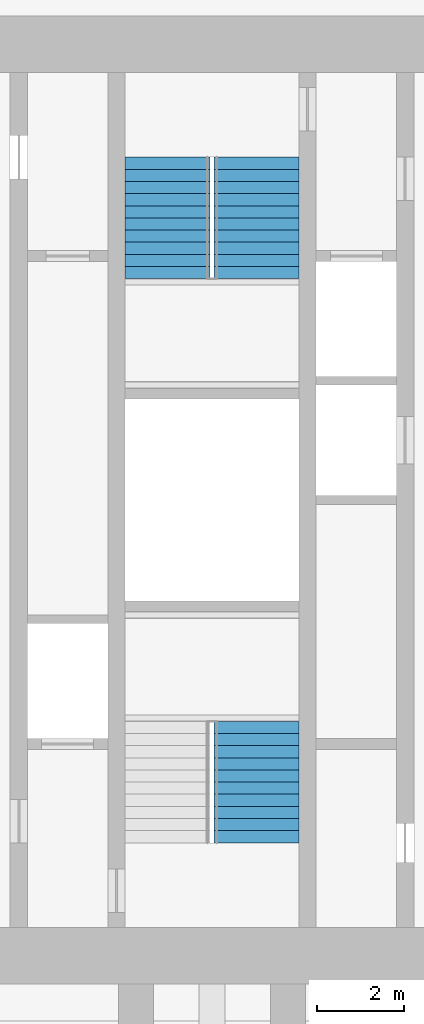
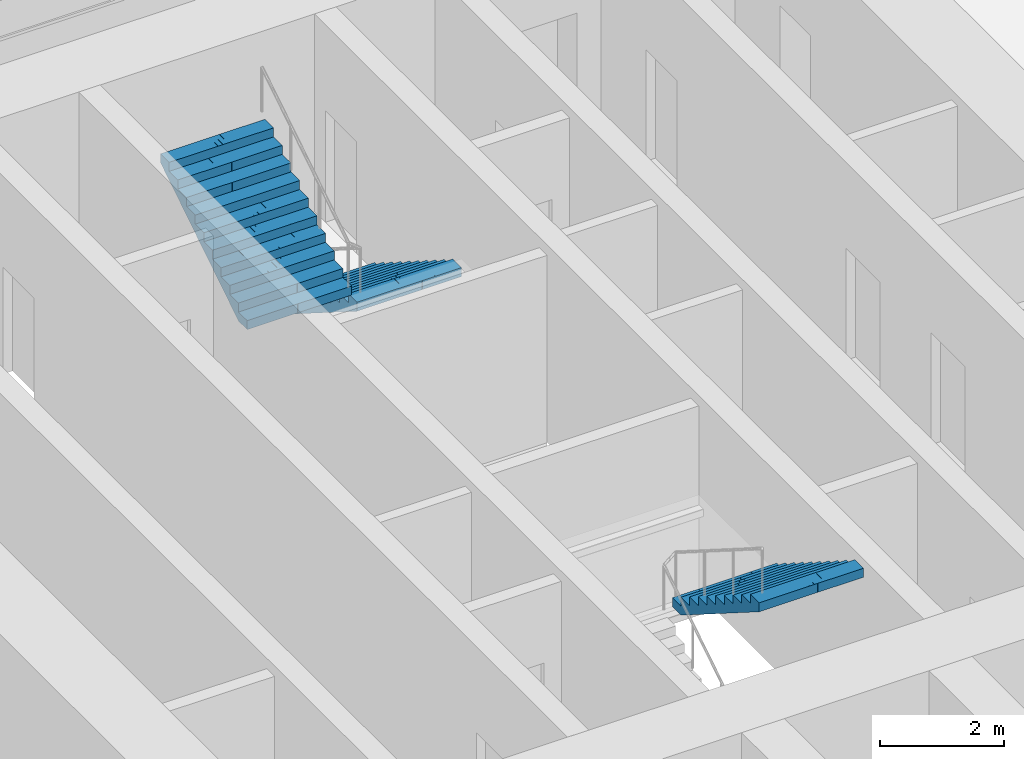
# One storey, part 14 of 15: 3 stair flights, 2 elements without a shape of their own.
"""IFC4 building model written with IfcOpenShell, lengths in metres."""

from ifc_helpers import new_model, si_unit, direction, frame, origin, place, context, subcontext, project, spatial, polyline, outline, extrude, material, type_object, element, aggregate, save


model = new_model("IFC4")

# Units and contexts
model_context = context("Model", 3, precision=1e-05, world=origin(), true_north=direction((0.0, 1.0)))
body_context = subcontext(model_context, "Body", "Model", "MODEL_VIEW")
ifc_project = project(units=[si_unit("LENGTHUNIT", "METRE"), si_unit("AREAUNIT", "SQUARE_METRE"), si_unit("VOLUMEUNIT", "CUBIC_METRE"), si_unit("PLANEANGLEUNIT", "RADIAN"), si_unit("MASSUNIT", "GRAM", prefix="KILO")], contexts=[model_context])

# Site, building, storey
site_placement = place(None, origin())
site = spatial("IfcSite", under=ifc_project, at=site_placement, CompositionType="ELEMENT")
building_placement = place(site_placement, origin())
building = spatial("IfcBuilding", under=site, at=building_placement, Name="Mizan Broadcast Tower", CompositionType="ELEMENT")
storey_placement = place(building_placement, frame((0.0, 0.0, 275.10009765625)))
storey = spatial("IfcBuildingStorey", under=building, at=storey_placement, Name="L65", CompositionType="ELEMENT", Elevation=275.10009765625)

# Stair, stair flight
ifc_material_1 = material(Name="Concrete C40/50", Category="concrete")
stair_type = type_object("IfcStairType", Name="EXIT STAIR", PredefinedType="HALF_TURN_STAIR", material=ifc_material_1)
stair_1_placement = place(storey_placement, origin())
stair_1 = element("IfcStair", 1, at=stair_1_placement, inside=storey, type_object=stair_type, Name="Stair A L65", PredefinedType="HALF_TURN_STAIR")
ifc_material_2 = material(Name="Concrete C40/50", Category="concrete")
stair_flight_type = type_object("IfcStairFlightType", Name="EXIT STAIR FLIGHT", PredefinedType="STRAIGHT", material=ifc_material_2)
stair_flight_1_placement = place(storey_placement, frame((1.02490234375, -5.10009765625, 1.949951171875), z_axis=(0.0, 0.0, 1.0), x_axis=(0.0, -1.0, 0.0)))
stair_flight_1 = element("IfcStairFlight", 2, at=stair_flight_1_placement, type_object=stair_flight_type, Name="A flight 2", NumberOfRisers=11, NumberOfTreads=10, PredefinedType="STRAIGHT", RiserHeight=0.177272727, TreadLength=0.28, context=body_context, shape_type="SweptSolid", body=[
    extrude(outline(polyline([(0.0, 0.0), (0.0, 0.17724609375), (0.280029296875, 0.17724609375), (0.280029296875, 0.3544921875), (0.56005859375, 0.3544921875), (0.56005859375, 0.53173828125), (0.840087890625, 0.53173828125), (0.840087890625, 0.708984375), (1.1201171875, 0.708984375), (1.1201171875, 0.886474609375), (1.39990234375, 0.886474609375), (1.39990234375, 1.063720703125), (1.679931640625, 1.063720703125), (1.679931640625, 1.240966796875), (1.9599609375, 1.240966796875), (1.9599609375, 1.418212890625), (2.239990234375, 1.418212890625), (2.239990234375, 1.595458984375), (2.52001953125, 1.595458984375), (2.52001953125, 1.772705078125), (2.800048828125, 1.772705078125), (2.800048828125, 1.949951171875), (2.800048828125, 1.59521484375), (0.2802734375, 0.0), (0.0, 0.0)])), frame((0.0, 0.97509765625, 0.0), z_axis=(0.0, -1.0, 0.0), x_axis=(1.0, 0.0, 0.0)), (0.0, 0.0, 1.0), 0.4873046875),
    extrude(outline(polyline([(0.0, 0.0), (0.0, 0.17724609375), (0.280029296875, 0.17724609375), (0.280029296875, 0.3544921875), (0.56005859375, 0.3544921875), (0.56005859375, 0.53173828125), (0.840087890625, 0.53173828125), (0.840087890625, 0.708984375), (1.1201171875, 0.708984375), (1.1201171875, 0.886474609375), (1.39990234375, 0.886474609375), (1.39990234375, 1.063720703125), (1.679931640625, 1.063720703125), (1.679931640625, 1.240966796875), (1.9599609375, 1.240966796875), (1.9599609375, 1.418212890625), (2.239990234375, 1.418212890625), (2.239990234375, 1.595458984375), (2.52001953125, 1.595458984375), (2.52001953125, 1.772705078125), (2.800048828125, 1.772705078125), (2.800048828125, 1.949951171875), (2.800048828125, 1.59521484375), (0.2802734375, 0.0), (0.0, 0.0)])), frame((0.0, 0.4873046875, 0.0), z_axis=(0.0, -1.0, 0.0), x_axis=(1.0, 0.0, 0.0)), (0.0, 0.0, 1.0), 0.2431640625),
    extrude(outline(polyline([(0.0, 0.0), (0.0, 0.17724609375), (0.280029296875, 0.17724609375), (0.280029296875, 0.3544921875), (0.56005859375, 0.3544921875), (0.56005859375, 0.53173828125), (0.840087890625, 0.53173828125), (0.840087890625, 0.708984375), (1.1201171875, 0.708984375), (1.1201171875, 0.886474609375), (1.39990234375, 0.886474609375), (1.39990234375, 1.063720703125), (1.679931640625, 1.063720703125), (1.679931640625, 1.240966796875), (1.9599609375, 1.240966796875), (1.9599609375, 1.418212890625), (2.239990234375, 1.418212890625), (2.239990234375, 1.595458984375), (2.52001953125, 1.595458984375), (2.52001953125, 1.772705078125), (2.800048828125, 1.772705078125), (2.800048828125, 1.949951171875), (2.800048828125, 1.59521484375), (0.2802734375, 0.0), (0.0, 0.0)])), frame((0.0, 0.24365234375, 0.0), z_axis=(0.0, -1.0, 0.0), x_axis=(1.0, 0.0, 0.0)), (0.0, 0.0, 1.0), 0.121337890625),
    extrude(outline(polyline([(0.0, 0.0), (0.0, 0.17724609375), (0.280029296875, 0.17724609375), (0.280029296875, 0.3544921875), (0.56005859375, 0.3544921875), (0.56005859375, 0.53173828125), (0.840087890625, 0.53173828125), (0.840087890625, 0.708984375), (1.1201171875, 0.708984375), (1.1201171875, 0.886474609375), (1.39990234375, 0.886474609375), (1.39990234375, 1.063720703125), (1.679931640625, 1.063720703125), (1.679931640625, 1.240966796875), (1.9599609375, 1.240966796875), (1.9599609375, 1.418212890625), (2.239990234375, 1.418212890625), (2.239990234375, 1.595458984375), (2.52001953125, 1.595458984375), (2.52001953125, 1.772705078125), (2.800048828125, 1.772705078125), (2.800048828125, 1.949951171875), (2.800048828125, 1.59521484375), (0.2802734375, 0.0), (0.0, 0.0)])), frame((0.0, 0.121826171875, 0.0), z_axis=(0.0, -1.0, 0.0), x_axis=(1.0, 0.0, 0.0)), (0.0, 0.0, 1.0), 0.060546875),
    extrude(outline(polyline([(0.0, 0.0), (0.0, 0.17724609375), (0.280029296875, 0.17724609375), (0.280029296875, 0.3544921875), (0.56005859375, 0.3544921875), (0.56005859375, 0.53173828125), (0.840087890625, 0.53173828125), (0.840087890625, 0.708984375), (1.1201171875, 0.708984375), (1.1201171875, 0.886474609375), (1.39990234375, 0.886474609375), (1.39990234375, 1.063720703125), (1.679931640625, 1.063720703125), (1.679931640625, 1.240966796875), (1.9599609375, 1.240966796875), (1.9599609375, 1.418212890625), (2.239990234375, 1.418212890625), (2.239990234375, 1.595458984375), (2.52001953125, 1.595458984375), (2.52001953125, 1.772705078125), (2.800048828125, 1.772705078125), (2.800048828125, 1.949951171875), (2.800048828125, 1.59521484375), (0.2802734375, 0.0), (0.0, 0.0)])), frame((0.0, 0.060791015625, 0.0), z_axis=(0.0, -1.0, 0.0), x_axis=(1.0, 0.0, 0.0)), (0.0, 0.0, 1.0), 0.030029296875),
    extrude(outline(polyline([(0.0, 0.0), (0.0, 0.17724609375), (0.280029296875, 0.17724609375), (0.280029296875, 0.3544921875), (0.56005859375, 0.3544921875), (0.56005859375, 0.53173828125), (0.840087890625, 0.53173828125), (0.840087890625, 0.708984375), (1.1201171875, 0.708984375), (1.1201171875, 0.886474609375), (1.39990234375, 0.886474609375), (1.39990234375, 1.063720703125), (1.679931640625, 1.063720703125), (1.679931640625, 1.240966796875), (1.9599609375, 1.240966796875), (1.9599609375, 1.418212890625), (2.239990234375, 1.418212890625), (2.239990234375, 1.595458984375), (2.52001953125, 1.595458984375), (2.52001953125, 1.772705078125), (2.800048828125, 1.772705078125), (2.800048828125, 1.949951171875), (2.800048828125, 1.59521484375), (0.2802734375, 0.0), (0.0, 0.0)])), frame((0.0, 0.0302734375, 0.0), z_axis=(0.0, -1.0, 0.0), x_axis=(1.0, 0.0, 0.0)), (0.0, 0.0, 1.0), 0.060302734375),
    extrude(outline(polyline([(0.0, 0.0), (0.0, 0.17724609375), (0.280029296875, 0.17724609375), (0.280029296875, 0.3544921875), (0.56005859375, 0.3544921875), (0.56005859375, 0.53173828125), (0.840087890625, 0.53173828125), (0.840087890625, 0.708984375), (1.1201171875, 0.708984375), (1.1201171875, 0.886474609375), (1.39990234375, 0.886474609375), (1.39990234375, 1.063720703125), (1.679931640625, 1.063720703125), (1.679931640625, 1.240966796875), (1.9599609375, 1.240966796875), (1.9599609375, 1.418212890625), (2.239990234375, 1.418212890625), (2.239990234375, 1.595458984375), (2.52001953125, 1.595458984375), (2.52001953125, 1.772705078125), (2.800048828125, 1.772705078125), (2.800048828125, 1.949951171875), (2.800048828125, 1.59521484375), (0.2802734375, 0.0), (0.0, 0.0)])), frame((0.0, -0.030517578125, 0.0), z_axis=(0.0, -1.0, 0.0), x_axis=(1.0, 0.0, 0.0)), (0.0, 0.0, 1.0), 0.030029296875),
    extrude(outline(polyline([(0.0, 0.0), (0.0, 0.17724609375), (0.280029296875, 0.17724609375), (0.280029296875, 0.3544921875), (0.56005859375, 0.3544921875), (0.56005859375, 0.53173828125), (0.840087890625, 0.53173828125), (0.840087890625, 0.708984375), (1.1201171875, 0.708984375), (1.1201171875, 0.886474609375), (1.39990234375, 0.886474609375), (1.39990234375, 1.063720703125), (1.679931640625, 1.063720703125), (1.679931640625, 1.240966796875), (1.9599609375, 1.240966796875), (1.9599609375, 1.418212890625), (2.239990234375, 1.418212890625), (2.239990234375, 1.595458984375), (2.52001953125, 1.595458984375), (2.52001953125, 1.772705078125), (2.800048828125, 1.772705078125), (2.800048828125, 1.949951171875), (2.800048828125, 1.59521484375), (0.2802734375, 0.0), (0.0, 0.0)])), frame((0.0, -0.06103515625, 0.0), z_axis=(0.0, -1.0, 0.0), x_axis=(1.0, 0.0, 0.0)), (0.0, 0.0, 1.0), 0.060546875),
    extrude(outline(polyline([(0.0, 0.0), (0.0, 0.17724609375), (0.280029296875, 0.17724609375), (0.280029296875, 0.3544921875), (0.56005859375, 0.3544921875), (0.56005859375, 0.53173828125), (0.840087890625, 0.53173828125), (0.840087890625, 0.708984375), (1.1201171875, 0.708984375), (1.1201171875, 0.886474609375), (1.39990234375, 0.886474609375), (1.39990234375, 1.063720703125), (1.679931640625, 1.063720703125), (1.679931640625, 1.240966796875), (1.9599609375, 1.240966796875), (1.9599609375, 1.418212890625), (2.239990234375, 1.418212890625), (2.239990234375, 1.595458984375), (2.52001953125, 1.595458984375), (2.52001953125, 1.772705078125), (2.800048828125, 1.772705078125), (2.800048828125, 1.949951171875), (2.800048828125, 1.59521484375), (0.2802734375, 0.0), (0.0, 0.0)])), frame((0.0, -0.1220703125, 0.0), z_axis=(0.0, -1.0, 0.0), x_axis=(1.0, 0.0, 0.0)), (0.0, 0.0, 1.0), 0.121337890625),
    extrude(outline(polyline([(0.0, 0.0), (0.0, 0.17724609375), (0.280029296875, 0.17724609375), (0.280029296875, 0.3544921875), (0.56005859375, 0.3544921875), (0.56005859375, 0.53173828125), (0.840087890625, 0.53173828125), (0.840087890625, 0.708984375), (1.1201171875, 0.708984375), (1.1201171875, 0.886474609375), (1.39990234375, 0.886474609375), (1.39990234375, 1.063720703125), (1.679931640625, 1.063720703125), (1.679931640625, 1.240966796875), (1.9599609375, 1.240966796875), (1.9599609375, 1.418212890625), (2.239990234375, 1.418212890625), (2.239990234375, 1.595458984375), (2.52001953125, 1.595458984375), (2.52001953125, 1.772705078125), (2.800048828125, 1.772705078125), (2.800048828125, 1.949951171875), (2.800048828125, 1.59521484375), (0.2802734375, 0.0), (0.0, 0.0)])), frame((0.0, -0.243896484375, 0.0), z_axis=(0.0, -1.0, 0.0), x_axis=(1.0, 0.0, 0.0)), (0.0, 0.0, 1.0), 0.2431640625),
    extrude(outline(polyline([(0.0, 0.0), (0.0, 0.17724609375), (0.280029296875, 0.17724609375), (0.280029296875, 0.3544921875), (0.56005859375, 0.3544921875), (0.56005859375, 0.53173828125), (0.840087890625, 0.53173828125), (0.840087890625, 0.708984375), (1.1201171875, 0.708984375), (1.1201171875, 0.886474609375), (1.39990234375, 0.886474609375), (1.39990234375, 1.063720703125), (1.679931640625, 1.063720703125), (1.679931640625, 1.240966796875), (1.9599609375, 1.240966796875), (1.9599609375, 1.418212890625), (2.239990234375, 1.418212890625), (2.239990234375, 1.595458984375), (2.52001953125, 1.595458984375), (2.52001953125, 1.772705078125), (2.800048828125, 1.772705078125), (2.800048828125, 1.949951171875), (2.800048828125, 1.59521484375), (0.2802734375, 0.0), (0.0, 0.0)])), frame((0.0, -0.487548828125, 0.0), z_axis=(0.0, -1.0, 0.0), x_axis=(1.0, 0.0, 0.0)), (0.0, 0.0, 1.0), 0.4873046875),
])
aggregate(stair_1, [stair_flight_1])

# Stair, stair flights
stair_2_placement = place(storey_placement, origin())
stair_2 = element("IfcStair", 3, at=stair_2_placement, inside=storey, type_object=stair_type, Name="Stair B L65", PredefinedType="HALF_TURN_STAIR")
stair_flight_2_placement = place(storey_placement, frame((1.02490234375, 7.89990234375, 0.0), z_axis=(0.0, 0.0, 1.0), x_axis=(0.0, -1.0, 0.0)))
stair_flight_2 = element("IfcStairFlight", 4, at=stair_flight_2_placement, type_object=stair_flight_type, Name="B flight 1", NumberOfRisers=11, NumberOfTreads=10, PredefinedType="STRAIGHT", RiserHeight=0.177272727, TreadLength=0.28, context=body_context, shape_type="SweptSolid", body=[
    extrude(outline(polyline([(0.0, 0.0), (0.0, 0.17724609375), (0.280029296875, 0.17724609375), (0.280029296875, 0.3544921875), (0.56005859375, 0.3544921875), (0.56005859375, 0.53173828125), (0.840087890625, 0.53173828125), (0.840087890625, 0.708984375), (1.1201171875, 0.708984375), (1.1201171875, 0.886474609375), (1.39990234375, 0.886474609375), (1.39990234375, 1.063720703125), (1.679931640625, 1.063720703125), (1.679931640625, 1.240966796875), (1.9599609375, 1.240966796875), (1.9599609375, 1.418212890625), (2.239990234375, 1.418212890625), (2.239990234375, 1.595458984375), (2.52001953125, 1.595458984375), (2.52001953125, 1.772705078125), (2.800048828125, 1.772705078125), (2.800048828125, 1.949951171875), (2.800048828125, 1.59521484375), (0.2802734375, 0.0), (0.0, 0.0)])), frame((0.0, 0.97509765625, 0.0), z_axis=(0.0, -1.0, 0.0), x_axis=(1.0, 0.0, 0.0)), (0.0, 0.0, 1.0), 0.4873046875),
    extrude(outline(polyline([(0.0, 0.0), (0.0, 0.17724609375), (0.280029296875, 0.17724609375), (0.280029296875, 0.3544921875), (0.56005859375, 0.3544921875), (0.56005859375, 0.53173828125), (0.840087890625, 0.53173828125), (0.840087890625, 0.708984375), (1.1201171875, 0.708984375), (1.1201171875, 0.886474609375), (1.39990234375, 0.886474609375), (1.39990234375, 1.063720703125), (1.679931640625, 1.063720703125), (1.679931640625, 1.240966796875), (1.9599609375, 1.240966796875), (1.9599609375, 1.418212890625), (2.239990234375, 1.418212890625), (2.239990234375, 1.595458984375), (2.52001953125, 1.595458984375), (2.52001953125, 1.772705078125), (2.800048828125, 1.772705078125), (2.800048828125, 1.949951171875), (2.800048828125, 1.59521484375), (0.2802734375, 0.0), (0.0, 0.0)])), frame((0.0, 0.4873046875, 0.0), z_axis=(0.0, -1.0, 0.0), x_axis=(1.0, 0.0, 0.0)), (0.0, 0.0, 1.0), 0.2431640625),
    extrude(outline(polyline([(0.0, 0.0), (0.0, 0.17724609375), (0.280029296875, 0.17724609375), (0.280029296875, 0.3544921875), (0.56005859375, 0.3544921875), (0.56005859375, 0.53173828125), (0.840087890625, 0.53173828125), (0.840087890625, 0.708984375), (1.1201171875, 0.708984375), (1.1201171875, 0.886474609375), (1.39990234375, 0.886474609375), (1.39990234375, 1.063720703125), (1.679931640625, 1.063720703125), (1.679931640625, 1.240966796875), (1.9599609375, 1.240966796875), (1.9599609375, 1.418212890625), (2.239990234375, 1.418212890625), (2.239990234375, 1.595458984375), (2.52001953125, 1.595458984375), (2.52001953125, 1.772705078125), (2.800048828125, 1.772705078125), (2.800048828125, 1.949951171875), (2.800048828125, 1.59521484375), (0.2802734375, 0.0), (0.0, 0.0)])), frame((0.0, 0.24365234375, 0.0), z_axis=(0.0, -1.0, 0.0), x_axis=(1.0, 0.0, 0.0)), (0.0, 0.0, 1.0), 0.121337890625),
    extrude(outline(polyline([(0.0, 0.0), (0.0, 0.17724609375), (0.280029296875, 0.17724609375), (0.280029296875, 0.3544921875), (0.56005859375, 0.3544921875), (0.56005859375, 0.53173828125), (0.840087890625, 0.53173828125), (0.840087890625, 0.708984375), (1.1201171875, 0.708984375), (1.1201171875, 0.886474609375), (1.39990234375, 0.886474609375), (1.39990234375, 1.063720703125), (1.679931640625, 1.063720703125), (1.679931640625, 1.240966796875), (1.9599609375, 1.240966796875), (1.9599609375, 1.418212890625), (2.239990234375, 1.418212890625), (2.239990234375, 1.595458984375), (2.52001953125, 1.595458984375), (2.52001953125, 1.772705078125), (2.800048828125, 1.772705078125), (2.800048828125, 1.949951171875), (2.800048828125, 1.59521484375), (0.2802734375, 0.0), (0.0, 0.0)])), frame((0.0, 0.121826171875, 0.0), z_axis=(0.0, -1.0, 0.0), x_axis=(1.0, 0.0, 0.0)), (0.0, 0.0, 1.0), 0.060546875),
    extrude(outline(polyline([(0.0, 0.0), (0.0, 0.17724609375), (0.280029296875, 0.17724609375), (0.280029296875, 0.3544921875), (0.56005859375, 0.3544921875), (0.56005859375, 0.53173828125), (0.840087890625, 0.53173828125), (0.840087890625, 0.708984375), (1.1201171875, 0.708984375), (1.1201171875, 0.886474609375), (1.39990234375, 0.886474609375), (1.39990234375, 1.063720703125), (1.679931640625, 1.063720703125), (1.679931640625, 1.240966796875), (1.9599609375, 1.240966796875), (1.9599609375, 1.418212890625), (2.239990234375, 1.418212890625), (2.239990234375, 1.595458984375), (2.52001953125, 1.595458984375), (2.52001953125, 1.772705078125), (2.800048828125, 1.772705078125), (2.800048828125, 1.949951171875), (2.800048828125, 1.59521484375), (0.2802734375, 0.0), (0.0, 0.0)])), frame((0.0, 0.060791015625, 0.0), z_axis=(0.0, -1.0, 0.0), x_axis=(1.0, 0.0, 0.0)), (0.0, 0.0, 1.0), 0.030029296875),
    extrude(outline(polyline([(0.0, 0.0), (0.0, 0.17724609375), (0.280029296875, 0.17724609375), (0.280029296875, 0.3544921875), (0.56005859375, 0.3544921875), (0.56005859375, 0.53173828125), (0.840087890625, 0.53173828125), (0.840087890625, 0.708984375), (1.1201171875, 0.708984375), (1.1201171875, 0.886474609375), (1.39990234375, 0.886474609375), (1.39990234375, 1.063720703125), (1.679931640625, 1.063720703125), (1.679931640625, 1.240966796875), (1.9599609375, 1.240966796875), (1.9599609375, 1.418212890625), (2.239990234375, 1.418212890625), (2.239990234375, 1.595458984375), (2.52001953125, 1.595458984375), (2.52001953125, 1.772705078125), (2.800048828125, 1.772705078125), (2.800048828125, 1.949951171875), (2.800048828125, 1.59521484375), (0.2802734375, 0.0), (0.0, 0.0)])), frame((0.0, 0.0302734375, 0.0), z_axis=(0.0, -1.0, 0.0), x_axis=(1.0, 0.0, 0.0)), (0.0, 0.0, 1.0), 0.060302734375),
    extrude(outline(polyline([(0.0, 0.0), (0.0, 0.17724609375), (0.280029296875, 0.17724609375), (0.280029296875, 0.3544921875), (0.56005859375, 0.3544921875), (0.56005859375, 0.53173828125), (0.840087890625, 0.53173828125), (0.840087890625, 0.708984375), (1.1201171875, 0.708984375), (1.1201171875, 0.886474609375), (1.39990234375, 0.886474609375), (1.39990234375, 1.063720703125), (1.679931640625, 1.063720703125), (1.679931640625, 1.240966796875), (1.9599609375, 1.240966796875), (1.9599609375, 1.418212890625), (2.239990234375, 1.418212890625), (2.239990234375, 1.595458984375), (2.52001953125, 1.595458984375), (2.52001953125, 1.772705078125), (2.800048828125, 1.772705078125), (2.800048828125, 1.949951171875), (2.800048828125, 1.59521484375), (0.2802734375, 0.0), (0.0, 0.0)])), frame((0.0, -0.030517578125, 0.0), z_axis=(0.0, -1.0, 0.0), x_axis=(1.0, 0.0, 0.0)), (0.0, 0.0, 1.0), 0.030029296875),
    extrude(outline(polyline([(0.0, 0.0), (0.0, 0.17724609375), (0.280029296875, 0.17724609375), (0.280029296875, 0.3544921875), (0.56005859375, 0.3544921875), (0.56005859375, 0.53173828125), (0.840087890625, 0.53173828125), (0.840087890625, 0.708984375), (1.1201171875, 0.708984375), (1.1201171875, 0.886474609375), (1.39990234375, 0.886474609375), (1.39990234375, 1.063720703125), (1.679931640625, 1.063720703125), (1.679931640625, 1.240966796875), (1.9599609375, 1.240966796875), (1.9599609375, 1.418212890625), (2.239990234375, 1.418212890625), (2.239990234375, 1.595458984375), (2.52001953125, 1.595458984375), (2.52001953125, 1.772705078125), (2.800048828125, 1.772705078125), (2.800048828125, 1.949951171875), (2.800048828125, 1.59521484375), (0.2802734375, 0.0), (0.0, 0.0)])), frame((0.0, -0.06103515625, 0.0), z_axis=(0.0, -1.0, 0.0), x_axis=(1.0, 0.0, 0.0)), (0.0, 0.0, 1.0), 0.060546875),
    extrude(outline(polyline([(0.0, 0.0), (0.0, 0.17724609375), (0.280029296875, 0.17724609375), (0.280029296875, 0.3544921875), (0.56005859375, 0.3544921875), (0.56005859375, 0.53173828125), (0.840087890625, 0.53173828125), (0.840087890625, 0.708984375), (1.1201171875, 0.708984375), (1.1201171875, 0.886474609375), (1.39990234375, 0.886474609375), (1.39990234375, 1.063720703125), (1.679931640625, 1.063720703125), (1.679931640625, 1.240966796875), (1.9599609375, 1.240966796875), (1.9599609375, 1.418212890625), (2.239990234375, 1.418212890625), (2.239990234375, 1.595458984375), (2.52001953125, 1.595458984375), (2.52001953125, 1.772705078125), (2.800048828125, 1.772705078125), (2.800048828125, 1.949951171875), (2.800048828125, 1.59521484375), (0.2802734375, 0.0), (0.0, 0.0)])), frame((0.0, -0.1220703125, 0.0), z_axis=(0.0, -1.0, 0.0), x_axis=(1.0, 0.0, 0.0)), (0.0, 0.0, 1.0), 0.121337890625),
    extrude(outline(polyline([(0.0, 0.0), (0.0, 0.17724609375), (0.280029296875, 0.17724609375), (0.280029296875, 0.3544921875), (0.56005859375, 0.3544921875), (0.56005859375, 0.53173828125), (0.840087890625, 0.53173828125), (0.840087890625, 0.708984375), (1.1201171875, 0.708984375), (1.1201171875, 0.886474609375), (1.39990234375, 0.886474609375), (1.39990234375, 1.063720703125), (1.679931640625, 1.063720703125), (1.679931640625, 1.240966796875), (1.9599609375, 1.240966796875), (1.9599609375, 1.418212890625), (2.239990234375, 1.418212890625), (2.239990234375, 1.595458984375), (2.52001953125, 1.595458984375), (2.52001953125, 1.772705078125), (2.800048828125, 1.772705078125), (2.800048828125, 1.949951171875), (2.800048828125, 1.59521484375), (0.2802734375, 0.0), (0.0, 0.0)])), frame((0.0, -0.243896484375, 0.0), z_axis=(0.0, -1.0, 0.0), x_axis=(1.0, 0.0, 0.0)), (0.0, 0.0, 1.0), 0.2431640625),
    extrude(outline(polyline([(0.0, 0.0), (0.0, 0.17724609375), (0.280029296875, 0.17724609375), (0.280029296875, 0.3544921875), (0.56005859375, 0.3544921875), (0.56005859375, 0.53173828125), (0.840087890625, 0.53173828125), (0.840087890625, 0.708984375), (1.1201171875, 0.708984375), (1.1201171875, 0.886474609375), (1.39990234375, 0.886474609375), (1.39990234375, 1.063720703125), (1.679931640625, 1.063720703125), (1.679931640625, 1.240966796875), (1.9599609375, 1.240966796875), (1.9599609375, 1.418212890625), (2.239990234375, 1.418212890625), (2.239990234375, 1.595458984375), (2.52001953125, 1.595458984375), (2.52001953125, 1.772705078125), (2.800048828125, 1.772705078125), (2.800048828125, 1.949951171875), (2.800048828125, 1.59521484375), (0.2802734375, 0.0), (0.0, 0.0)])), frame((0.0, -0.487548828125, 0.0), z_axis=(0.0, -1.0, 0.0), x_axis=(1.0, 0.0, 0.0)), (0.0, 0.0, 1.0), 0.4873046875),
])
stair_flight_3_placement = place(storey_placement, frame((-1.02490234375, 5.10009765625, 1.949951171875), z_axis=(0.0, 0.0, 1.0), x_axis=(0.0, 1.0, 0.0)))
stair_flight_3 = element("IfcStairFlight", 5, at=stair_flight_3_placement, type_object=stair_flight_type, Name="B flight 2", NumberOfRisers=11, NumberOfTreads=10, PredefinedType="STRAIGHT", RiserHeight=0.177272727, TreadLength=0.28, context=body_context, shape_type="SweptSolid", body=[
    extrude(outline(polyline([(0.0, 0.0), (0.0, 0.17724609375), (0.280029296875, 0.17724609375), (0.280029296875, 0.3544921875), (0.56005859375, 0.3544921875), (0.56005859375, 0.53173828125), (0.840087890625, 0.53173828125), (0.840087890625, 0.708984375), (1.1201171875, 0.708984375), (1.1201171875, 0.886474609375), (1.39990234375, 0.886474609375), (1.39990234375, 1.063720703125), (1.679931640625, 1.063720703125), (1.679931640625, 1.240966796875), (1.9599609375, 1.240966796875), (1.9599609375, 1.418212890625), (2.239990234375, 1.418212890625), (2.239990234375, 1.595458984375), (2.52001953125, 1.595458984375), (2.52001953125, 1.772705078125), (2.800048828125, 1.772705078125), (2.800048828125, 1.949951171875), (2.800048828125, 1.59521484375), (0.2802734375, 0.0), (0.0, 0.0)])), frame((0.0, 0.97509765625, 0.0), z_axis=(0.0, -1.0, 0.0), x_axis=(1.0, 0.0, 0.0)), (0.0, 0.0, 1.0), 0.4873046875),
    extrude(outline(polyline([(0.0, 0.0), (0.0, 0.17724609375), (0.280029296875, 0.17724609375), (0.280029296875, 0.3544921875), (0.56005859375, 0.3544921875), (0.56005859375, 0.53173828125), (0.840087890625, 0.53173828125), (0.840087890625, 0.708984375), (1.1201171875, 0.708984375), (1.1201171875, 0.886474609375), (1.39990234375, 0.886474609375), (1.39990234375, 1.063720703125), (1.679931640625, 1.063720703125), (1.679931640625, 1.240966796875), (1.9599609375, 1.240966796875), (1.9599609375, 1.418212890625), (2.239990234375, 1.418212890625), (2.239990234375, 1.595458984375), (2.52001953125, 1.595458984375), (2.52001953125, 1.772705078125), (2.800048828125, 1.772705078125), (2.800048828125, 1.949951171875), (2.800048828125, 1.59521484375), (0.2802734375, 0.0), (0.0, 0.0)])), frame((0.0, 0.4873046875, 0.0), z_axis=(0.0, -1.0, 0.0), x_axis=(1.0, 0.0, 0.0)), (0.0, 0.0, 1.0), 0.2431640625),
    extrude(outline(polyline([(0.0, 0.0), (0.0, 0.17724609375), (0.280029296875, 0.17724609375), (0.280029296875, 0.3544921875), (0.56005859375, 0.3544921875), (0.56005859375, 0.53173828125), (0.840087890625, 0.53173828125), (0.840087890625, 0.708984375), (1.1201171875, 0.708984375), (1.1201171875, 0.886474609375), (1.39990234375, 0.886474609375), (1.39990234375, 1.063720703125), (1.679931640625, 1.063720703125), (1.679931640625, 1.240966796875), (1.9599609375, 1.240966796875), (1.9599609375, 1.418212890625), (2.239990234375, 1.418212890625), (2.239990234375, 1.595458984375), (2.52001953125, 1.595458984375), (2.52001953125, 1.772705078125), (2.800048828125, 1.772705078125), (2.800048828125, 1.949951171875), (2.800048828125, 1.59521484375), (0.2802734375, 0.0), (0.0, 0.0)])), frame((0.0, 0.24365234375, 0.0), z_axis=(0.0, -1.0, 0.0), x_axis=(1.0, 0.0, 0.0)), (0.0, 0.0, 1.0), 0.121337890625),
    extrude(outline(polyline([(0.0, 0.0), (0.0, 0.17724609375), (0.280029296875, 0.17724609375), (0.280029296875, 0.3544921875), (0.56005859375, 0.3544921875), (0.56005859375, 0.53173828125), (0.840087890625, 0.53173828125), (0.840087890625, 0.708984375), (1.1201171875, 0.708984375), (1.1201171875, 0.886474609375), (1.39990234375, 0.886474609375), (1.39990234375, 1.063720703125), (1.679931640625, 1.063720703125), (1.679931640625, 1.240966796875), (1.9599609375, 1.240966796875), (1.9599609375, 1.418212890625), (2.239990234375, 1.418212890625), (2.239990234375, 1.595458984375), (2.52001953125, 1.595458984375), (2.52001953125, 1.772705078125), (2.800048828125, 1.772705078125), (2.800048828125, 1.949951171875), (2.800048828125, 1.59521484375), (0.2802734375, 0.0), (0.0, 0.0)])), frame((0.0, 0.121826171875, 0.0), z_axis=(0.0, -1.0, 0.0), x_axis=(1.0, 0.0, 0.0)), (0.0, 0.0, 1.0), 0.060546875),
    extrude(outline(polyline([(0.0, 0.0), (0.0, 0.17724609375), (0.280029296875, 0.17724609375), (0.280029296875, 0.3544921875), (0.56005859375, 0.3544921875), (0.56005859375, 0.53173828125), (0.840087890625, 0.53173828125), (0.840087890625, 0.708984375), (1.1201171875, 0.708984375), (1.1201171875, 0.886474609375), (1.39990234375, 0.886474609375), (1.39990234375, 1.063720703125), (1.679931640625, 1.063720703125), (1.679931640625, 1.240966796875), (1.9599609375, 1.240966796875), (1.9599609375, 1.418212890625), (2.239990234375, 1.418212890625), (2.239990234375, 1.595458984375), (2.52001953125, 1.595458984375), (2.52001953125, 1.772705078125), (2.800048828125, 1.772705078125), (2.800048828125, 1.949951171875), (2.800048828125, 1.59521484375), (0.2802734375, 0.0), (0.0, 0.0)])), frame((0.0, 0.060791015625, 0.0), z_axis=(0.0, -1.0, 0.0), x_axis=(1.0, 0.0, 0.0)), (0.0, 0.0, 1.0), 0.030029296875),
    extrude(outline(polyline([(0.0, 0.0), (0.0, 0.17724609375), (0.280029296875, 0.17724609375), (0.280029296875, 0.3544921875), (0.56005859375, 0.3544921875), (0.56005859375, 0.53173828125), (0.840087890625, 0.53173828125), (0.840087890625, 0.708984375), (1.1201171875, 0.708984375), (1.1201171875, 0.886474609375), (1.39990234375, 0.886474609375), (1.39990234375, 1.063720703125), (1.679931640625, 1.063720703125), (1.679931640625, 1.240966796875), (1.9599609375, 1.240966796875), (1.9599609375, 1.418212890625), (2.239990234375, 1.418212890625), (2.239990234375, 1.595458984375), (2.52001953125, 1.595458984375), (2.52001953125, 1.772705078125), (2.800048828125, 1.772705078125), (2.800048828125, 1.949951171875), (2.800048828125, 1.59521484375), (0.2802734375, 0.0), (0.0, 0.0)])), frame((0.0, 0.0302734375, 0.0), z_axis=(0.0, -1.0, 0.0), x_axis=(1.0, 0.0, 0.0)), (0.0, 0.0, 1.0), 0.060302734375),
    extrude(outline(polyline([(0.0, 0.0), (0.0, 0.17724609375), (0.280029296875, 0.17724609375), (0.280029296875, 0.3544921875), (0.56005859375, 0.3544921875), (0.56005859375, 0.53173828125), (0.840087890625, 0.53173828125), (0.840087890625, 0.708984375), (1.1201171875, 0.708984375), (1.1201171875, 0.886474609375), (1.39990234375, 0.886474609375), (1.39990234375, 1.063720703125), (1.679931640625, 1.063720703125), (1.679931640625, 1.240966796875), (1.9599609375, 1.240966796875), (1.9599609375, 1.418212890625), (2.239990234375, 1.418212890625), (2.239990234375, 1.595458984375), (2.52001953125, 1.595458984375), (2.52001953125, 1.772705078125), (2.800048828125, 1.772705078125), (2.800048828125, 1.949951171875), (2.800048828125, 1.59521484375), (0.2802734375, 0.0), (0.0, 0.0)])), frame((0.0, -0.030517578125, 0.0), z_axis=(0.0, -1.0, 0.0), x_axis=(1.0, 0.0, 0.0)), (0.0, 0.0, 1.0), 0.030029296875),
    extrude(outline(polyline([(0.0, 0.0), (0.0, 0.17724609375), (0.280029296875, 0.17724609375), (0.280029296875, 0.3544921875), (0.56005859375, 0.3544921875), (0.56005859375, 0.53173828125), (0.840087890625, 0.53173828125), (0.840087890625, 0.708984375), (1.1201171875, 0.708984375), (1.1201171875, 0.886474609375), (1.39990234375, 0.886474609375), (1.39990234375, 1.063720703125), (1.679931640625, 1.063720703125), (1.679931640625, 1.240966796875), (1.9599609375, 1.240966796875), (1.9599609375, 1.418212890625), (2.239990234375, 1.418212890625), (2.239990234375, 1.595458984375), (2.52001953125, 1.595458984375), (2.52001953125, 1.772705078125), (2.800048828125, 1.772705078125), (2.800048828125, 1.949951171875), (2.800048828125, 1.59521484375), (0.2802734375, 0.0), (0.0, 0.0)])), frame((0.0, -0.06103515625, 0.0), z_axis=(0.0, -1.0, 0.0), x_axis=(1.0, 0.0, 0.0)), (0.0, 0.0, 1.0), 0.060546875),
    extrude(outline(polyline([(0.0, 0.0), (0.0, 0.17724609375), (0.280029296875, 0.17724609375), (0.280029296875, 0.3544921875), (0.56005859375, 0.3544921875), (0.56005859375, 0.53173828125), (0.840087890625, 0.53173828125), (0.840087890625, 0.708984375), (1.1201171875, 0.708984375), (1.1201171875, 0.886474609375), (1.39990234375, 0.886474609375), (1.39990234375, 1.063720703125), (1.679931640625, 1.063720703125), (1.679931640625, 1.240966796875), (1.9599609375, 1.240966796875), (1.9599609375, 1.418212890625), (2.239990234375, 1.418212890625), (2.239990234375, 1.595458984375), (2.52001953125, 1.595458984375), (2.52001953125, 1.772705078125), (2.800048828125, 1.772705078125), (2.800048828125, 1.949951171875), (2.800048828125, 1.59521484375), (0.2802734375, 0.0), (0.0, 0.0)])), frame((0.0, -0.1220703125, 0.0), z_axis=(0.0, -1.0, 0.0), x_axis=(1.0, 0.0, 0.0)), (0.0, 0.0, 1.0), 0.121337890625),
    extrude(outline(polyline([(0.0, 0.0), (0.0, 0.17724609375), (0.280029296875, 0.17724609375), (0.280029296875, 0.3544921875), (0.56005859375, 0.3544921875), (0.56005859375, 0.53173828125), (0.840087890625, 0.53173828125), (0.840087890625, 0.708984375), (1.1201171875, 0.708984375), (1.1201171875, 0.886474609375), (1.39990234375, 0.886474609375), (1.39990234375, 1.063720703125), (1.679931640625, 1.063720703125), (1.679931640625, 1.240966796875), (1.9599609375, 1.240966796875), (1.9599609375, 1.418212890625), (2.239990234375, 1.418212890625), (2.239990234375, 1.595458984375), (2.52001953125, 1.595458984375), (2.52001953125, 1.772705078125), (2.800048828125, 1.772705078125), (2.800048828125, 1.949951171875), (2.800048828125, 1.59521484375), (0.2802734375, 0.0), (0.0, 0.0)])), frame((0.0, -0.243896484375, 0.0), z_axis=(0.0, -1.0, 0.0), x_axis=(1.0, 0.0, 0.0)), (0.0, 0.0, 1.0), 0.2431640625),
    extrude(outline(polyline([(0.0, 0.0), (0.0, 0.17724609375), (0.280029296875, 0.17724609375), (0.280029296875, 0.3544921875), (0.56005859375, 0.3544921875), (0.56005859375, 0.53173828125), (0.840087890625, 0.53173828125), (0.840087890625, 0.708984375), (1.1201171875, 0.708984375), (1.1201171875, 0.886474609375), (1.39990234375, 0.886474609375), (1.39990234375, 1.063720703125), (1.679931640625, 1.063720703125), (1.679931640625, 1.240966796875), (1.9599609375, 1.240966796875), (1.9599609375, 1.418212890625), (2.239990234375, 1.418212890625), (2.239990234375, 1.595458984375), (2.52001953125, 1.595458984375), (2.52001953125, 1.772705078125), (2.800048828125, 1.772705078125), (2.800048828125, 1.949951171875), (2.800048828125, 1.59521484375), (0.2802734375, 0.0), (0.0, 0.0)])), frame((0.0, -0.487548828125, 0.0), z_axis=(0.0, -1.0, 0.0), x_axis=(1.0, 0.0, 0.0)), (0.0, 0.0, 1.0), 0.4873046875),
])
aggregate(stair_2, [stair_flight_2, stair_flight_3])

save(model, "model.ifc")
